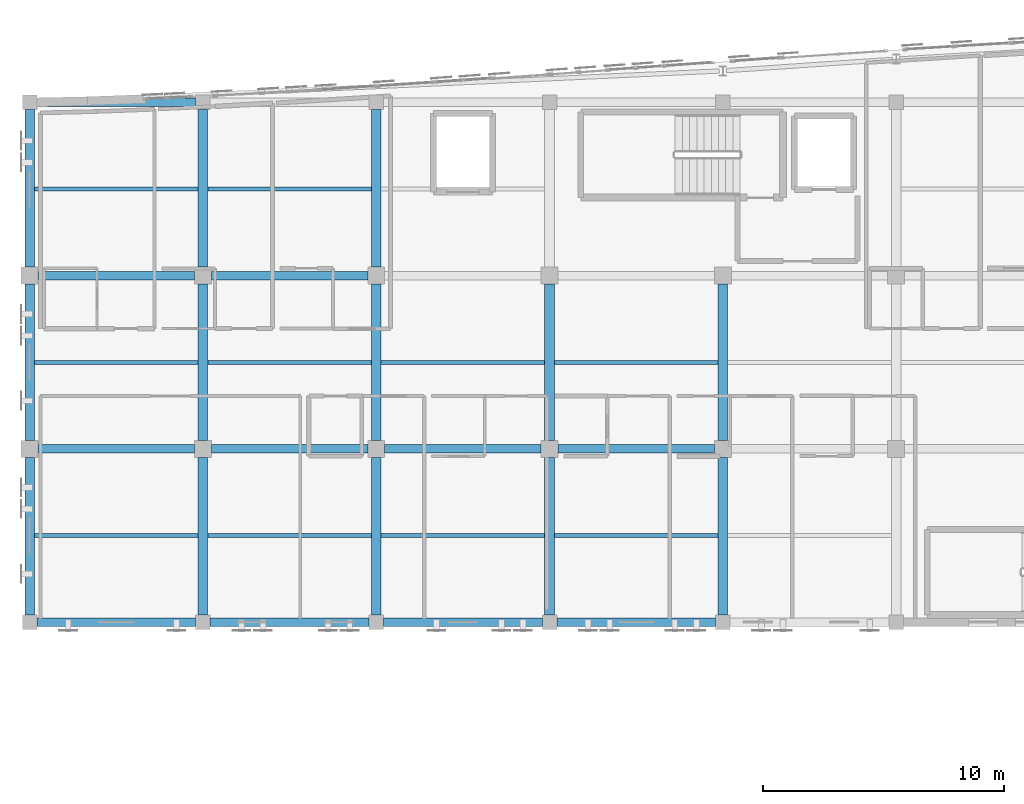
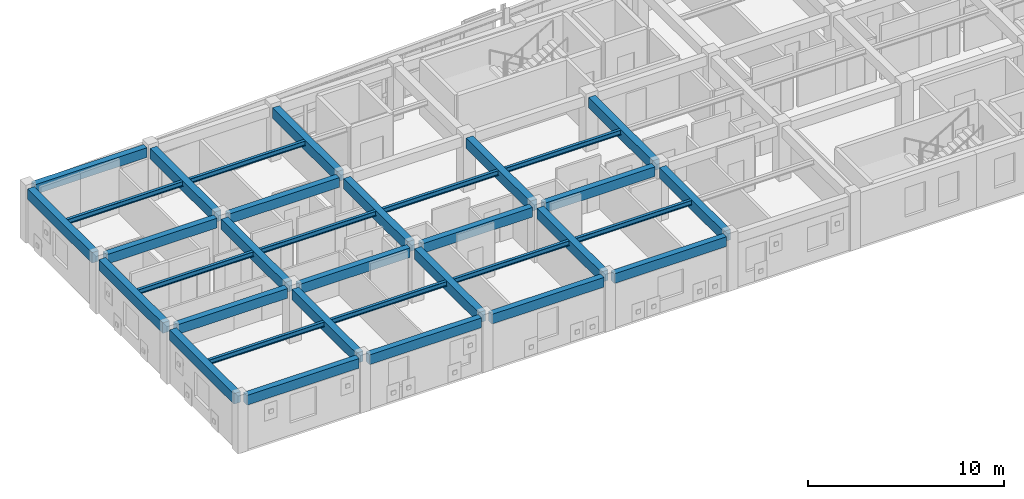
# One storey, part 8 of 73: 34 beams.
"""IFC4 building model written with IfcOpenShell, lengths in metres."""

from ifc_helpers import new_model, si_unit, direction, frame, origin, origin_2d, place, context, subcontext, project, spatial, rectangle, i_section, extrude, material, material_profile, profile_set, type_object, element, save


model = new_model("IFC4")

# Units and contexts
model_context = context("Model", 3, precision=1e-05, world=origin(), true_north=direction((0.0, 1.0)))
body_context = subcontext(model_context, "Body", "Model", "MODEL_VIEW")
ifc_project = project(units=[si_unit("LENGTHUNIT", "METRE"), si_unit("AREAUNIT", "SQUARE_METRE"), si_unit("VOLUMEUNIT", "CUBIC_METRE"), si_unit("PLANEANGLEUNIT", "RADIAN"), si_unit("MASSUNIT", "GRAM", prefix="KILO")], contexts=[model_context])

# Site, building, storey
site_placement = place(None, origin())
site = spatial("IfcSite", under=ifc_project, at=site_placement, CompositionType="ELEMENT")
building_placement = place(site_placement, origin())
building = spatial("IfcBuilding", under=site, at=building_placement, Name="Carrowvane Square Congress Hotel", CompositionType="ELEMENT")
storey_placement = place(building_placement, frame((0.0, 0.0, 19.199951171875)))
storey = spatial("IfcBuildingStorey", under=building, at=storey_placement, Name="L04", CompositionType="ELEMENT", Elevation=19.199951171875)

# Beams
ifc_material_1 = material(Name="Concrete C35/45", Category="concrete")
ifc_material_profile_1 = material_profile(ifc_material_1, rectangle(XDim=0.35009765625, YDim=0.60009765625, at=origin_2d()), Name="RC 350x600")
ifc_profile_set_1 = profile_set([ifc_material_profile_1], Name="Concrete C35/45")
beam_type_1 = type_object("IfcBeamType", Name="BM-RC-350x600", PredefinedType="BEAM", material=ifc_profile_set_1)
for number, where, z_axis, x_axis, name in (
    (1, (33.5, 91.800048828125, 3.050048828125), (1.0, 0.0, 0.0), (0.0, 1.0, 0.0), "L05 girder N/4-5"),
    (2, (40.699951171875, 91.800048828125, 3.050048828125), (1.0, 0.0, 0.0), (0.0, 1.0, 0.0), "L05 girder N/5-6"),
    (3, (47.89990234375, 91.800048828125, 3.050048828125), (1.0, 0.0, 0.0), (0.0, 1.0, 0.0), "L05 girder N/6-7"),
):
    element("IfcBeam", number, at=place(storey_placement, frame(where, z_axis=z_axis, x_axis=x_axis)), inside=storey, type_object=beam_type_1, Name=name, PredefinedType="BEAM", context=body_context, shape_type="SweptSolid", body=[
        extrude(rectangle(XDim=0.35009765625, YDim=0.60009765625, at=origin_2d()), origin(), (0.0, 0.0, 1.0), 6.60009765625),
    ])
beam_1_placement = place(storey_placement, frame((55.10009765625, 91.800048828125, 3.050048828125), z_axis=(1.0, 0.0, 0.0), x_axis=(0.0, 1.0, 0.0)))
element("IfcBeam", 4, at=beam_1_placement, inside=storey, type_object=beam_type_1, Name="L05 girder N/7-8", PredefinedType="BEAM", context=body_context, shape_type="SweptSolid", body=[
    extrude(rectangle(XDim=0.35009765625, YDim=0.60009765625, at=origin_2d()), origin(), (0.0, 0.0, 1.0), 6.599853515625),
])
for number, where, z_axis, x_axis, name in (
    (5, (33.550048828125, 99.0, 3.050048828125), (1.0, 0.0, 0.0), (0.0, 1.0, 0.0), "L05 girder P/4-5"),
    (6, (40.75, 99.0, 3.050048828125), (1.0, 0.0, 0.0), (0.0, 1.0, 0.0), "L05 girder P/5-6"),
    (7, (47.949951171875, 99.0, 3.050048828125), (1.0, 0.0, 0.0), (0.0, 1.0, 0.0), "L05 girder P/6-7"),
    (8, (55.14990234375, 99.0, 3.050048828125), (1.0, 0.0, 0.0), (0.0, 1.0, 0.0), "L05 girder P/7-8"),
    (9, (33.550048828125, 106.199951171875, 3.050048828125), (1.0, 0.0, 0.0), (0.0, 1.0, 0.0), "L05 girder Q/4-5"),
    (10, (40.75, 106.199951171875, 3.050048828125), (1.0, 0.0, 0.0), (0.0, 1.0, 0.0), "L05 girder Q/5-6"),
):
    element("IfcBeam", number, at=place(storey_placement, frame(where, z_axis=z_axis, x_axis=x_axis)), inside=storey, type_object=beam_type_1, Name=name, PredefinedType="BEAM", context=body_context, shape_type="SweptSolid", body=[
        extrude(rectangle(XDim=0.35009765625, YDim=0.60009765625, at=origin_2d()), origin(), (0.0, 0.0, 1.0), 6.5),
    ])
beam_2_placement = place(storey_placement, frame((33.5, 113.39990234375, 3.050048828125), z_axis=(1.0, 0.0, 0.0), x_axis=(0.0, 1.0, 0.0)))
element("IfcBeam", 11, at=beam_2_placement, inside=storey, type_object=beam_type_1, Name="L05 girder R/4-5", PredefinedType="BEAM", context=body_context, shape_type="SweptSolid", body=[
    extrude(rectangle(XDim=0.35009765625, YDim=0.60009765625, at=origin_2d()), origin(), (0.0, 0.0, 1.0), 6.60009765625),
])
ifc_material_2 = material(Name="Concrete C35/45", Category="concrete")
ifc_material_profile_2 = material_profile(ifc_material_2, rectangle(XDim=0.39990234375, YDim=0.64990234375, at=origin_2d()), Name="RC 400x650")
ifc_profile_set_2 = profile_set([ifc_material_profile_2], Name="Concrete C35/45")
beam_type_2 = type_object("IfcBeamType", Name="BM-RC-400x650", PredefinedType="BEAM", material=ifc_profile_set_2)
beam_3_placement = place(storey_placement, frame((33.199951171875, 92.10009765625, 3.025146484375), z_axis=(0.0, 1.0, 0.0), x_axis=(-1.0, 0.0, 0.0)))
element("IfcBeam", 12, at=beam_3_placement, inside=storey, type_object=beam_type_2, Name="L05 girder 4/N-P", PredefinedType="BEAM", context=body_context, shape_type="SweptSolid", body=[
    extrude(rectangle(XDim=0.39990234375, YDim=0.64990234375, at=origin_2d()), origin(), (0.0, 0.0, 1.0), 6.5498046875),
])
beam_4_placement = place(storey_placement, frame((33.199951171875, 99.35009765625, 3.025146484375), z_axis=(0.0, 1.0, 0.0), x_axis=(-1.0, 0.0, 0.0)))
element("IfcBeam", 13, at=beam_4_placement, inside=storey, type_object=beam_type_2, Name="L05 girder 4/P-Q", PredefinedType="BEAM", context=body_context, shape_type="SweptSolid", body=[
    extrude(rectangle(XDim=0.39990234375, YDim=0.64990234375, at=origin_2d()), origin(), (0.0, 0.0, 1.0), 6.5),
])
beam_5_placement = place(storey_placement, frame((33.199951171875, 106.550048828125, 3.025146484375), z_axis=(0.0, 1.0, 0.0), x_axis=(-1.0, 0.0, 0.0)))
element("IfcBeam", 14, at=beam_5_placement, inside=storey, type_object=beam_type_2, Name="L05 girder 4/Q-R", PredefinedType="BEAM", context=body_context, shape_type="SweptSolid", body=[
    extrude(rectangle(XDim=0.39990234375, YDim=0.64990234375, at=origin_2d()), origin(), (0.0, 0.0, 1.0), 6.550048828125),
])
beam_6_placement = place(storey_placement, frame((40.39990234375, 92.10009765625, 3.025146484375), z_axis=(0.0, 1.0, 0.0), x_axis=(-1.0, 0.0, 0.0)))
element("IfcBeam", 15, at=beam_6_placement, inside=storey, type_object=beam_type_2, Name="L05 girder 5/N-P", PredefinedType="BEAM", context=body_context, shape_type="SweptSolid", body=[
    extrude(rectangle(XDim=0.39990234375, YDim=0.64990234375, at=origin_2d()), origin(), (0.0, 0.0, 1.0), 6.5498046875),
])
beam_7_placement = place(storey_placement, frame((40.39990234375, 99.35009765625, 3.025146484375), z_axis=(0.0, 1.0, 0.0), x_axis=(-1.0, 0.0, 0.0)))
element("IfcBeam", 16, at=beam_7_placement, inside=storey, type_object=beam_type_2, Name="L05 girder 5/P-Q", PredefinedType="BEAM", context=body_context, shape_type="SweptSolid", body=[
    extrude(rectangle(XDim=0.39990234375, YDim=0.64990234375, at=origin_2d()), origin(), (0.0, 0.0, 1.0), 6.5),
])
beam_8_placement = place(storey_placement, frame((40.39990234375, 106.550048828125, 3.025146484375), z_axis=(0.0, 1.0, 0.0), x_axis=(-1.0, 0.0, 0.0)))
element("IfcBeam", 17, at=beam_8_placement, inside=storey, type_object=beam_type_2, Name="L05 girder 5/Q-R", PredefinedType="BEAM", context=body_context, shape_type="SweptSolid", body=[
    extrude(rectangle(XDim=0.39990234375, YDim=0.64990234375, at=origin_2d()), origin(), (0.0, 0.0, 1.0), 6.550048828125),
])
beam_9_placement = place(storey_placement, frame((47.60009765625, 92.10009765625, 3.025146484375), z_axis=(0.0, 1.0, 0.0), x_axis=(-1.0, 0.0, 0.0)))
element("IfcBeam", 18, at=beam_9_placement, inside=storey, type_object=beam_type_2, Name="L05 girder 6/N-P", PredefinedType="BEAM", context=body_context, shape_type="SweptSolid", body=[
    extrude(rectangle(XDim=0.39990234375, YDim=0.64990234375, at=origin_2d()), origin(), (0.0, 0.0, 1.0), 6.5498046875),
])
beam_10_placement = place(storey_placement, frame((47.60009765625, 99.35009765625, 3.025146484375), z_axis=(0.0, 1.0, 0.0), x_axis=(-1.0, 0.0, 0.0)))
element("IfcBeam", 19, at=beam_10_placement, inside=storey, type_object=beam_type_2, Name="L05 girder 6/P-Q", PredefinedType="BEAM", context=body_context, shape_type="SweptSolid", body=[
    extrude(rectangle(XDim=0.39990234375, YDim=0.64990234375, at=origin_2d()), origin(), (0.0, 0.0, 1.0), 6.5),
])
beam_11_placement = place(storey_placement, frame((47.60009765625, 106.550048828125, 3.025146484375), z_axis=(0.0, 1.0, 0.0), x_axis=(-1.0, 0.0, 0.0)))
element("IfcBeam", 20, at=beam_11_placement, inside=storey, type_object=beam_type_2, Name="L05 girder 6/Q-R", PredefinedType="BEAM", context=body_context, shape_type="SweptSolid", body=[
    extrude(rectangle(XDim=0.39990234375, YDim=0.64990234375, at=origin_2d()), origin(), (0.0, 0.0, 1.0), 6.550048828125),
])
beam_12_placement = place(storey_placement, frame((54.800048828125, 92.10009765625, 3.025146484375), z_axis=(0.0, 1.0, 0.0), x_axis=(-1.0, 0.0, 0.0)))
element("IfcBeam", 21, at=beam_12_placement, inside=storey, type_object=beam_type_2, Name="L05 girder 7/N-P", PredefinedType="BEAM", context=body_context, shape_type="SweptSolid", body=[
    extrude(rectangle(XDim=0.39990234375, YDim=0.64990234375, at=origin_2d()), origin(), (0.0, 0.0, 1.0), 6.5498046875),
])
beam_13_placement = place(storey_placement, frame((54.800048828125, 99.35009765625, 3.025146484375), z_axis=(0.0, 1.0, 0.0), x_axis=(-1.0, 0.0, 0.0)))
element("IfcBeam", 22, at=beam_13_placement, inside=storey, type_object=beam_type_2, Name="L05 girder 7/P-Q", PredefinedType="BEAM", context=body_context, shape_type="SweptSolid", body=[
    extrude(rectangle(XDim=0.39990234375, YDim=0.64990234375, at=origin_2d()), origin(), (0.0, 0.0, 1.0), 6.5),
])
beam_14_placement = place(storey_placement, frame((62.0, 92.10009765625, 3.025146484375), z_axis=(0.0, 1.0, 0.0), x_axis=(-1.0, 0.0, 0.0)))
element("IfcBeam", 23, at=beam_14_placement, inside=storey, type_object=beam_type_2, Name="L05 girder 8/N-P", PredefinedType="BEAM", context=body_context, shape_type="SweptSolid", body=[
    extrude(rectangle(XDim=0.39990234375, YDim=0.64990234375, at=origin_2d()), origin(), (0.0, 0.0, 1.0), 6.5498046875),
])
beam_15_placement = place(storey_placement, frame((62.0, 99.35009765625, 3.025146484375), z_axis=(0.0, 1.0, 0.0), x_axis=(-1.0, 0.0, 0.0)))
element("IfcBeam", 24, at=beam_15_placement, inside=storey, type_object=beam_type_2, Name="L05 girder 8/P-Q", PredefinedType="BEAM", context=body_context, shape_type="SweptSolid", body=[
    extrude(rectangle(XDim=0.39990234375, YDim=0.64990234375, at=origin_2d()), origin(), (0.0, 0.0, 1.0), 6.5),
])
ifc_material_3 = material(Name="Steel S355", Category="steel")
ifc_material_profile_3 = material_profile(ifc_material_3, i_section(OverallWidth=0.165771484375, OverallDepth=0.306640625, WebThickness=0.006591796875, FlangeThickness=0.01171875, FilletRadius=0.0087890625, at=origin_2d()), Name="UKB 305x165x46")
ifc_profile_set_3 = profile_set([ifc_material_profile_3], Name="Steel S355")
beam_type_3 = type_object("IfcBeamType", Name="BM-ST-UKB305", PredefinedType="JOIST", material=ifc_profile_set_3)
for number, where, z_axis, x_axis, name in (
    (25, (33.39990234375, 95.39990234375, 3.19677734375), (1.0, 0.0, 0.0), (0.0, 1.0, 0.0), "L05 secondary joist 4-5"),
    (26, (33.39990234375, 102.60009765625, 3.19677734375), (1.0, 0.0, 0.0), (0.0, 1.0, 0.0), "L05 secondary joist 4-5"),
    (27, (33.39990234375, 109.800048828125, 3.19677734375), (1.0, 0.0, 0.0), (0.0, 1.0, 0.0), "L05 secondary joist 4-5"),
):
    element("IfcBeam", number, at=place(storey_placement, frame(where, z_axis=z_axis, x_axis=x_axis)), inside=storey, type_object=beam_type_3, Name=name, PredefinedType="JOIST", context=body_context, shape_type="SweptSolid", body=[
        extrude(i_section(OverallWidth=0.165771484375, OverallDepth=0.306640625, WebThickness=0.006591796875, FlangeThickness=0.01171875, FilletRadius=0.0087890625, at=origin_2d()), origin(), (0.0, 0.0, 1.0), 6.800048828125),
    ])
for number, where, z_axis, x_axis, name in (
    (28, (40.60009765625, 95.39990234375, 3.19677734375), (1.0, 0.0, 0.0), (0.0, 1.0, 0.0), "L05 secondary joist 5-6"),
    (29, (40.60009765625, 102.60009765625, 3.19677734375), (1.0, 0.0, 0.0), (0.0, 1.0, 0.0), "L05 secondary joist 5-6"),
    (30, (40.60009765625, 109.800048828125, 3.19677734375), (1.0, 0.0, 0.0), (0.0, 1.0, 0.0), "L05 secondary joist 5-6"),
):
    element("IfcBeam", number, at=place(storey_placement, frame(where, z_axis=z_axis, x_axis=x_axis)), inside=storey, type_object=beam_type_3, Name=name, PredefinedType="JOIST", context=body_context, shape_type="SweptSolid", body=[
        extrude(i_section(OverallWidth=0.165771484375, OverallDepth=0.306640625, WebThickness=0.006591796875, FlangeThickness=0.01171875, FilletRadius=0.0087890625, at=origin_2d()), origin(), (0.0, 0.0, 1.0), 6.7998046875),
    ])
for number, where, z_axis, x_axis, name in (
    (31, (47.800048828125, 95.39990234375, 3.19677734375), (1.0, 0.0, 0.0), (0.0, 1.0, 0.0), "L05 secondary joist 6-7"),
    (32, (47.800048828125, 102.60009765625, 3.19677734375), (1.0, 0.0, 0.0), (0.0, 1.0, 0.0), "L05 secondary joist 6-7"),
    (33, (55.0, 95.39990234375, 3.19677734375), (1.0, 0.0, 0.0), (0.0, 1.0, 0.0), "L05 secondary joist 7-8"),
    (34, (55.0, 102.60009765625, 3.19677734375), (1.0, 0.0, 0.0), (0.0, 1.0, 0.0), "L05 secondary joist 7-8"),
):
    element("IfcBeam", number, at=place(storey_placement, frame(where, z_axis=z_axis, x_axis=x_axis)), inside=storey, type_object=beam_type_3, Name=name, PredefinedType="JOIST", context=body_context, shape_type="SweptSolid", body=[
        extrude(i_section(OverallWidth=0.165771484375, OverallDepth=0.306640625, WebThickness=0.006591796875, FlangeThickness=0.01171875, FilletRadius=0.0087890625, at=origin_2d()), origin(), (0.0, 0.0, 1.0), 6.800048828125),
    ])

save(model, "model.ifc")
